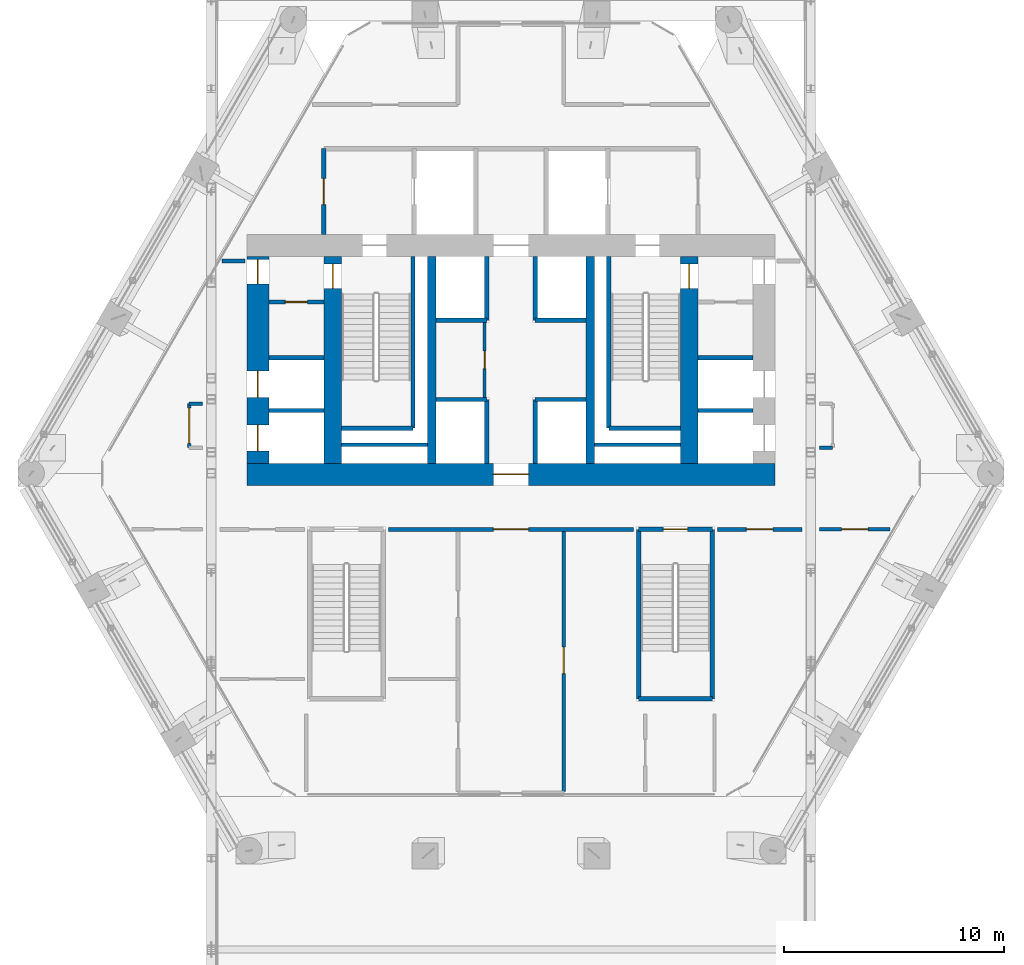
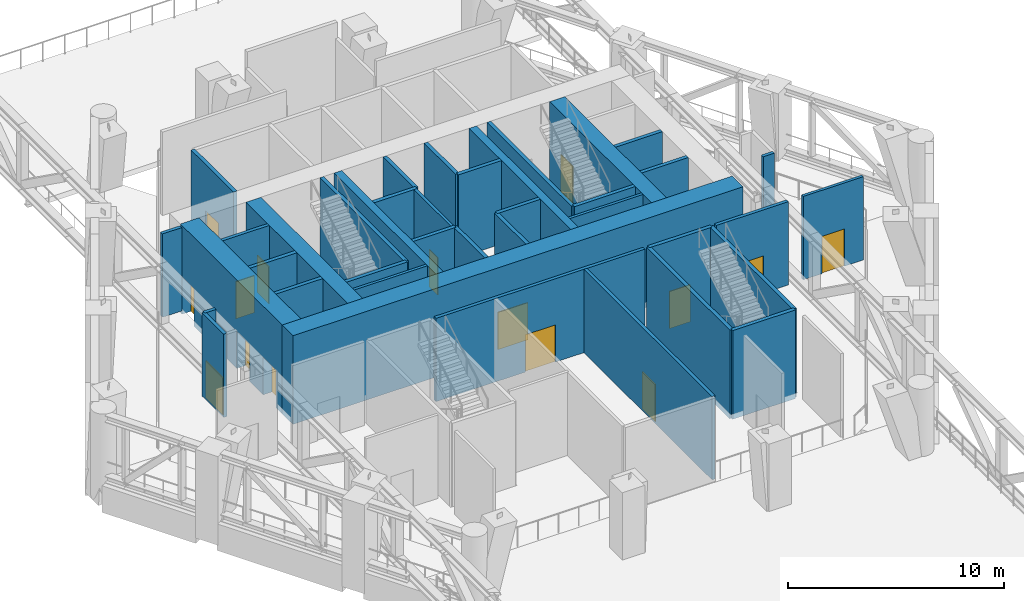
# One storey, part 10 of 22: 39 walls, 15 doors, 15 openings.
"""IFC4 building model written with IfcOpenShell, lengths in metres."""

from ifc_helpers import new_model, si_unit, direction, frame, frame_2d, origin, place, context, subcontext, project, spatial, rectangle, extrude, material, layer, layer_set, type_object, element, fill, save


model = new_model("IFC4")

# Units and contexts
model_context = context("Model", 3, precision=1e-05, world=origin(), true_north=direction((0.0, 1.0)))
body_context = subcontext(model_context, "Body", "Model", "MODEL_VIEW")
ifc_project = project(units=[si_unit("LENGTHUNIT", "METRE"), si_unit("AREAUNIT", "SQUARE_METRE"), si_unit("VOLUMEUNIT", "CUBIC_METRE"), si_unit("PLANEANGLEUNIT", "RADIAN"), si_unit("MASSUNIT", "GRAM", prefix="KILO")], contexts=[model_context])

# Site, building, storey
site_placement = place(None, origin())
site = spatial("IfcSite", under=ifc_project, at=site_placement, CompositionType="ELEMENT")
building_placement = place(site_placement, origin())
building = spatial("IfcBuilding", under=site, at=building_placement, Name="Ostrander Bayou Hotel Tower", CompositionType="ELEMENT")
storey_placement = place(building_placement, frame((0.0, 0.0, 146.0)))
storey = spatial("IfcBuildingStorey", under=building, at=storey_placement, Name="L36", CompositionType="ELEMENT", Elevation=146.0)

# Wall, opening, door
ifc_material_1 = material(Name="Concrete f'c 70 MPa", Category="concrete")
ifc_layer_1 = layer(ifc_material_1, 1.0)
ifc_layer_set_1 = layer_set([ifc_layer_1], Name="CW4 core wall 1000 mm f'c 70 MPa")
wall_type_1 = type_object("IfcWallType", Name="CW4 core wall 1000 mm f'c 70 MPa", PredefinedType="SHEAR", material=ifc_layer_set_1)
wall_1_placement = place(storey_placement, frame((-12.0, -1.199951171875, -0.300048828125), z_axis=(0.0, 0.0, 1.0), x_axis=(1.0, 0.0, 0.0)))
wall_1 = element("IfcWall", 1, at=wall_1_placement, inside=storey, type_object=wall_type_1, Name="CW4 L36 S", PredefinedType="SHEAR", context=body_context, shape_type="SweptSolid", body=[
    extrude(rectangle(XDim=24.0, YDim=1.0, at=frame_2d((12.0, 0.0))), origin(), (0.0, 0.0, 1.0), 5.0),
])
opening_1_placement = place(wall_1_placement, frame((11.199951171875, 0.0, 0.0)))
opening_1 = element("IfcOpeningElement", 2, at=opening_1_placement, cuts=wall_1, Name="Opening T36-001", PredefinedType="OPENING", context=body_context, shape_type="SweptSolid", body=[
    extrude(rectangle(XDim=1.60009765625, YDim=2.10009765625, at=frame_2d((0.800048828125, 1.050048828125))), frame((0.0, 0.5, 0.0), z_axis=(0.0, -1.0, 0.0), x_axis=(1.0, 0.0, 0.0)), (0.0, 0.0, 1.0), 1.0),
])
ifc_material_2 = material(Name="Timber door leaf", Category="wood")
door_type_1 = type_object("IfcDoorType", Name="D13 double door 1600 x 2100 mm, 1 hour", OperationType="SINGLE_SWING_LEFT", PredefinedType="DOOR", material=ifc_material_2)
door_1_placement = place(opening_1_placement, origin())
door_1 = element("IfcDoor", 3, at=door_1_placement, inside=storey, type_object=door_type_1, Name="dr:L36:001", OperationType="DOUBLE_DOOR_SINGLE_SWING", OverallHeight=2.10009765625, OverallWidth=1.60009765625, PredefinedType="DOOR", context=body_context, shape_type="SweptSolid", body=[
    extrude(rectangle(XDim=1.60009765625, YDim=2.10009765625, at=frame_2d((0.800048828125, 1.050048828125))), frame((0.0, 0.02490234375, 0.0), z_axis=(0.0, -1.0, 0.0), x_axis=(1.0, 0.0, 0.0)), (0.0, 0.0, 1.0), 0.050048828125),
])
fill(opening_1, door_1)

# Wall, openings, doors
wall_2_placement = place(storey_placement, frame((-11.5, -0.699951171875, -0.300048828125), z_axis=(0.0, 0.0, 1.0), x_axis=(0.0, 1.0, 0.0)))
wall_2 = element("IfcWall", 4, at=wall_2_placement, inside=storey, type_object=wall_type_1, Name="CW4 L36 RW", PredefinedType="SHEAR", context=body_context, shape_type="SweptSolid", body=[
    extrude(rectangle(XDim=9.39990234375, YDim=1.0, at=frame_2d((4.699951171875, 0.0))), origin(), (0.0, 0.0, 1.0), 5.0),
])
opening_2_placement = place(wall_2_placement, frame((8.14990234375, 0.0, 0.0)))
opening_2 = element("IfcOpeningElement", 5, at=opening_2_placement, cuts=wall_2, Name="Opening T36-015", PredefinedType="OPENING", context=body_context, shape_type="SweptSolid", body=[
    extrude(rectangle(XDim=1.10009765625, YDim=2.10009765625, at=frame_2d((0.550048828125, 1.050048828125))), frame((0.0, 0.5, 0.0), z_axis=(0.0, -1.0, 0.0), x_axis=(1.0, 0.0, 0.0)), (0.0, 0.0, 1.0), 1.0),
])
opening_3_placement = place(wall_2_placement, frame((0.550048828125, 0.0, 0.0)))
opening_3 = element("IfcOpeningElement", 6, at=opening_3_placement, cuts=wall_2, Name="Opening T36-016", PredefinedType="OPENING", context=body_context, shape_type="SweptSolid", body=[
    extrude(rectangle(XDim=1.199951171875, YDim=2.10009765625, at=frame_2d((0.60009765625, 1.050048828125))), frame((0.0, 0.5, 0.0), z_axis=(0.0, -1.0, 0.0), x_axis=(1.0, 0.0, 0.0)), (0.0, 0.0, 1.0), 1.0),
])
opening_4_placement = place(wall_2_placement, frame((3.0, 0.0, 0.0)))
opening_4 = element("IfcOpeningElement", 7, at=opening_4_placement, cuts=wall_2, Name="Opening T36-017", PredefinedType="OPENING", context=body_context, shape_type="SweptSolid", body=[
    extrude(rectangle(XDim=1.199951171875, YDim=2.10009765625, at=frame_2d((0.60009765625, 1.050048828125))), frame((0.0, 0.5, 0.0), z_axis=(0.0, -1.0, 0.0), x_axis=(1.0, 0.0, 0.0)), (0.0, 0.0, 1.0), 1.0),
])
ifc_material_3 = material(Name="Timber door leaf", Category="wood")
door_type_2 = type_object("IfcDoorType", Name="D5 stair door 1100 x 2100 mm, 90 minute", OperationType="SINGLE_SWING_LEFT", PredefinedType="DOOR", material=ifc_material_3)
door_2_placement = place(opening_2_placement, origin())
door_2 = element("IfcDoor", 8, at=door_2_placement, inside=storey, type_object=door_type_2, Name="dr:L36:015", OperationType="SINGLE_SWING_LEFT", OverallHeight=2.10009765625, OverallWidth=1.10009765625, PredefinedType="DOOR", context=body_context, shape_type="SweptSolid", body=[
    extrude(rectangle(XDim=1.10009765625, YDim=2.10009765625, at=frame_2d((0.550048828125, 1.050048828125))), frame((0.0, 0.02490234375, 0.0), z_axis=(0.0, -1.0, 0.0), x_axis=(1.0, 0.0, 0.0)), (0.0, 0.0, 1.0), 0.050048828125),
])
fill(opening_2, door_2)
ifc_material_4 = material(Name="Stainless steel sliding door", Category="steel")
door_type_3 = type_object("IfcDoorType", Name="LD1 lift landing door 1200 x 2100 mm", OperationType="SINGLE_SWING_LEFT", PredefinedType="DOOR", material=ifc_material_4)
door_3_placement = place(opening_3_placement, origin())
door_3 = element("IfcDoor", 9, at=door_3_placement, inside=storey, type_object=door_type_3, Name="dr:L36:016", OperationType="SLIDING_TO_LEFT", OverallHeight=2.10009765625, OverallWidth=1.199951171875, PredefinedType="DOOR", context=body_context, shape_type="SweptSolid", body=[
    extrude(rectangle(XDim=1.199951171875, YDim=2.10009765625, at=frame_2d((0.60009765625, 1.050048828125))), frame((0.0, 0.02490234375, 0.0), z_axis=(0.0, -1.0, 0.0), x_axis=(1.0, 0.0, 0.0)), (0.0, 0.0, 1.0), 0.050048828125),
])
fill(opening_3, door_3)
door_4_placement = place(opening_4_placement, origin())
door_4 = element("IfcDoor", 10, at=door_4_placement, inside=storey, type_object=door_type_3, Name="dr:L36:017", OperationType="SLIDING_TO_LEFT", OverallHeight=2.10009765625, OverallWidth=1.199951171875, PredefinedType="DOOR", context=body_context, shape_type="SweptSolid", body=[
    extrude(rectangle(XDim=1.199951171875, YDim=2.10009765625, at=frame_2d((0.60009765625, 1.050048828125))), frame((0.0, 0.02490234375, 0.0), z_axis=(0.0, -1.0, 0.0), x_axis=(1.0, 0.0, 0.0)), (0.0, 0.0, 1.0), 0.050048828125),
])
fill(opening_4, door_4)

# Wall, opening, door
ifc_material_5 = material(Name="Concrete f'c 70 MPa", Category="concrete")
ifc_layer_2 = layer(ifc_material_5, 0.800048828125)
ifc_layer_set_2 = layer_set([ifc_layer_2], Name="CW5 core spine wall 800 mm f'c 70 MPa")
wall_type_2 = type_object("IfcWallType", Name="CW5 core spine wall 800 mm f'c 70 MPa", PredefinedType="SHEAR", material=ifc_layer_set_2)
wall_3_placement = place(storey_placement, frame((-8.10009765625, -0.699951171875, -0.300048828125), z_axis=(0.0, 0.0, 1.0), x_axis=(0.0, 1.0, 0.0)))
wall_3 = element("IfcWall", 11, at=wall_3_placement, inside=storey, type_object=wall_type_2, Name="CW5 L36 W", PredefinedType="SHEAR", context=body_context, shape_type="SweptSolid", body=[
    extrude(rectangle(XDim=9.39990234375, YDim=0.800048828125, at=frame_2d((4.699951171875, 0.0))), origin(), (0.0, 0.0, 1.0), 5.0),
])
opening_5_placement = place(wall_3_placement, frame((7.949951171875, 0.0, 0.0)))
opening_5 = element("IfcOpeningElement", 12, at=opening_5_placement, cuts=wall_3, Name="Opening T36-004", PredefinedType="OPENING", context=body_context, shape_type="SweptSolid", body=[
    extrude(rectangle(XDim=1.10009765625, YDim=2.10009765625, at=frame_2d((0.550048828125, 1.050048828125))), frame((0.0, 0.39990234375, 0.0), z_axis=(0.0, -1.0, 0.0), x_axis=(1.0, 0.0, 0.0)), (0.0, 0.0, 1.0), 0.800048828125),
])
door_5_placement = place(opening_5_placement, origin())
door_5 = element("IfcDoor", 13, at=door_5_placement, inside=storey, type_object=door_type_2, Name="dr:L36:004", OperationType="SINGLE_SWING_RIGHT", OverallHeight=2.10009765625, OverallWidth=1.10009765625, PredefinedType="DOOR", context=body_context, shape_type="SweptSolid", body=[
    extrude(rectangle(XDim=1.10009765625, YDim=2.10009765625, at=frame_2d((0.550048828125, 1.050048828125))), frame((0.0, 0.02490234375, 0.0), z_axis=(0.0, -1.0, 0.0), x_axis=(1.0, 0.0, 0.0)), (0.0, 0.0, 1.0), 0.050048828125),
])
fill(opening_5, door_5)

wall_4_placement = place(storey_placement, frame((8.10009765625, -0.699951171875, -0.300048828125), z_axis=(0.0, 0.0, 1.0), x_axis=(0.0, 1.0, 0.0)))
wall_4 = element("IfcWall", 14, at=wall_4_placement, inside=storey, type_object=wall_type_2, Name="CW5 L36 E", PredefinedType="SHEAR", context=body_context, shape_type="SweptSolid", body=[
    extrude(rectangle(XDim=9.39990234375, YDim=0.800048828125, at=frame_2d((4.699951171875, 0.0))), origin(), (0.0, 0.0, 1.0), 5.0),
])
opening_6_placement = place(wall_4_placement, frame((7.949951171875, 0.0, 0.0)))
opening_6 = element("IfcOpeningElement", 15, at=opening_6_placement, cuts=wall_4, Name="Opening T36-006", PredefinedType="OPENING", context=body_context, shape_type="SweptSolid", body=[
    extrude(rectangle(XDim=1.10009765625, YDim=2.10009765625, at=frame_2d((0.550048828125, 1.050048828125))), frame((0.0, 0.39990234375, 0.0), z_axis=(0.0, -1.0, 0.0), x_axis=(1.0, 0.0, 0.0)), (0.0, 0.0, 1.0), 0.800048828125),
])
door_6_placement = place(opening_6_placement, origin())
door_6 = element("IfcDoor", 16, at=door_6_placement, inside=storey, type_object=door_type_2, Name="dr:L36:006", OperationType="SINGLE_SWING_LEFT", OverallHeight=2.10009765625, OverallWidth=1.10009765625, PredefinedType="DOOR", context=body_context, shape_type="SweptSolid", body=[
    extrude(rectangle(XDim=1.10009765625, YDim=2.10009765625, at=frame_2d((0.550048828125, 1.050048828125))), frame((0.0, 0.02490234375, 0.0), z_axis=(0.0, -1.0, 0.0), x_axis=(1.0, 0.0, 0.0)), (0.0, 0.0, 1.0), 0.050048828125),
])
fill(opening_6, door_6)

# Walls
ifc_material_6 = material(Name="Concrete f'c 70 MPa", Category="concrete")
ifc_layer_3 = layer(ifc_material_6, 0.39990234375)
ifc_layer_set_3 = layer_set([ifc_layer_3], Name="CW6 core bank wall 400 mm f'c 70 MPa")
wall_type_3 = type_object("IfcWallType", Name="CW6 core bank wall 400 mm f'c 70 MPa", PredefinedType="SHEAR", material=ifc_layer_set_3)
for number, where, z_axis, x_axis, name in (
    (17, (-3.60009765625, -0.699951171875, -0.300048828125), (0.0, 0.0, 1.0), (0.0, 1.0, 0.0), "CW6 L36 CW"),
    (18, (3.60009765625, -0.699951171875, -0.300048828125), (0.0, 0.0, 1.0), (0.0, 1.0, 0.0), "CW6 L36 CE"),
):
    element("IfcWall", number, at=place(storey_placement, frame(where, z_axis=z_axis, x_axis=x_axis)), inside=storey, type_object=wall_type_3, Name=name, PredefinedType="SHEAR", context=body_context, shape_type="SweptSolid", body=[
        extrude(rectangle(XDim=9.39990234375, YDim=0.39990234375, at=frame_2d((4.699951171875, 0.0))), origin(), (0.0, 0.0, 1.0), 5.0),
    ])

# Wall, opening, door
ifc_material_7 = material(Name="Gypsum board partition", Category="finish")
ifc_layer_4 = layer(ifc_material_7, 0.175048828125)
ifc_layer_set_4 = layer_set([ifc_layer_4], Name="PT4 corridor wall 175 mm, 1 hour")
wall_type_4 = type_object("IfcWallType", Name="PT4 corridor wall 175 mm, 1 hour", PredefinedType="PARTITIONING", material=ifc_layer_set_4)
wall_5_placement = place(storey_placement, frame((-11.0, 6.6298828125, 0.0), z_axis=(0.0, 0.0, 1.0), x_axis=(1.0, 0.0, 0.0)))
wall_5 = element("IfcWall", 19, at=wall_5_placement, inside=storey, type_object=wall_type_4, Name="cs:L36:033", PredefinedType="PARTITIONING", context=body_context, shape_type="SweptSolid", body=[
    extrude(rectangle(XDim=2.5, YDim=0.175048828125, at=frame_2d((1.25, 0.0))), origin(), (0.0, 0.0, 1.0), 4.699951171875),
])
opening_7_placement = place(wall_5_placement, frame((0.75, 0.0, 0.0)))
opening_7 = element("IfcOpeningElement", 20, at=opening_7_placement, cuts=wall_5, Name="Opening T36-014", PredefinedType="OPENING", context=body_context, shape_type="SweptSolid", body=[
    extrude(rectangle(XDim=1.0, YDim=2.10009765625, at=frame_2d((0.5, 1.050048828125))), frame((0.0, 0.08740234375, 0.0), z_axis=(0.0, -1.0, 0.0), x_axis=(1.0, 0.0, 0.0)), (0.0, 0.0, 1.0), 0.175048828125),
])
ifc_material_8 = material(Name="Timber door leaf", Category="wood")
door_type_4 = type_object("IfcDoorType", Name="D4 corridor door 1000 x 2100 mm, 1 hour", OperationType="SINGLE_SWING_LEFT", PredefinedType="DOOR", material=ifc_material_8)
door_7_placement = place(opening_7_placement, origin())
door_7 = element("IfcDoor", 21, at=door_7_placement, inside=storey, type_object=door_type_4, Name="dr:L36:014", OperationType="SINGLE_SWING_LEFT", OverallHeight=2.10009765625, OverallWidth=1.0, PredefinedType="DOOR", context=body_context, shape_type="SweptSolid", body=[
    extrude(rectangle(XDim=1.0, YDim=2.10009765625, at=frame_2d((0.5, 1.050048828125))), frame((0.0, 0.02490234375, 0.0), z_axis=(0.0, -1.0, 0.0), x_axis=(1.0, 0.0, 0.0)), (0.0, 0.0, 1.0), 0.050048828125),
])
fill(opening_7, door_7)

wall_6_placement = place(storey_placement, frame((-5.570068359375, -3.699951171875, 0.0), z_axis=(0.0, 0.0, 1.0), x_axis=(1.0, 0.0, 0.0)))
wall_6 = element("IfcWall", 22, at=wall_6_placement, inside=storey, type_object=wall_type_4, Name="sw:L36:002", PredefinedType="PARTITIONING", context=body_context, shape_type="SweptSolid", body=[
    extrude(rectangle(XDim=11.14013671875, YDim=0.175048828125, at=frame_2d((5.570068359375, 0.0))), origin(), (0.0, 0.0, 1.0), 4.699951171875),
])
opening_8_placement = place(wall_6_placement, frame((4.77001953125, 0.0, 0.0)))
opening_8 = element("IfcOpeningElement", 23, at=opening_8_placement, cuts=wall_6, Name="Opening T36-200", PredefinedType="OPENING", context=body_context, shape_type="SweptSolid", body=[
    extrude(rectangle(XDim=1.60009765625, YDim=2.10009765625, at=frame_2d((0.800048828125, 1.050048828125))), frame((0.0, 0.08740234375, 0.0), z_axis=(0.0, -1.0, 0.0), x_axis=(1.0, 0.0, 0.0)), (0.0, 0.0, 1.0), 0.175048828125),
])
door_8_placement = place(opening_8_placement, origin())
door_8 = element("IfcDoor", 24, at=door_8_placement, inside=storey, type_object=door_type_1, Name="dr:L36:200", OperationType="DOUBLE_DOOR_SINGLE_SWING", OverallHeight=2.10009765625, OverallWidth=1.60009765625, PredefinedType="DOOR", context=body_context, shape_type="SweptSolid", body=[
    extrude(rectangle(XDim=1.60009765625, YDim=2.10009765625, at=frame_2d((0.800048828125, 1.050048828125))), frame((0.0, 0.02490234375, 0.0), z_axis=(0.0, -1.0, 0.0), x_axis=(1.0, 0.0, 0.0)), (0.0, 0.0, 1.0), 0.050048828125),
])
fill(opening_8, door_8)

wall_7_placement = place(storey_placement, frame((9.3798828125, -3.699951171875, 0.0), z_axis=(0.0, 0.0, 1.0), x_axis=(1.0, 0.0, 0.0)))
wall_7 = element("IfcWall", 25, at=wall_7_placement, inside=storey, type_object=wall_type_4, Name="sw:L36:003", PredefinedType="PARTITIONING", context=body_context, shape_type="SweptSolid", body=[
    extrude(rectangle(XDim=3.840087890625, YDim=0.175048828125, at=frame_2d((1.919921875, 0.0))), origin(), (0.0, 0.0, 1.0), 4.699951171875),
])
opening_9_placement = place(wall_7_placement, frame((1.320068359375, 0.0, 0.0)))
opening_9 = element("IfcOpeningElement", 26, at=opening_9_placement, cuts=wall_7, Name="Opening T36-211", PredefinedType="OPENING", context=body_context, shape_type="SweptSolid", body=[
    extrude(rectangle(XDim=1.199951171875, YDim=2.10009765625, at=frame_2d((0.60009765625, 1.050048828125))), frame((0.0, 0.08740234375, 0.0), z_axis=(0.0, -1.0, 0.0), x_axis=(1.0, 0.0, 0.0)), (0.0, 0.0, 1.0), 0.175048828125),
])
ifc_material_9 = material(Name="Timber door leaf", Category="wood")
door_type_5 = type_object("IfcDoorType", Name="D10 plant room door 1200 x 2100 mm, 1 hour", OperationType="SINGLE_SWING_LEFT", PredefinedType="DOOR", material=ifc_material_9)
door_9_placement = place(opening_9_placement, origin())
door_9 = element("IfcDoor", 27, at=door_9_placement, inside=storey, type_object=door_type_5, Name="dr:L36:211", OperationType="SINGLE_SWING_LEFT", OverallHeight=2.10009765625, OverallWidth=1.199951171875, PredefinedType="DOOR", context=body_context, shape_type="SweptSolid", body=[
    extrude(rectangle(XDim=1.199951171875, YDim=2.10009765625, at=frame_2d((0.60009765625, 1.050048828125))), frame((0.0, 0.02490234375, 0.0), z_axis=(0.0, -1.0, 0.0), x_axis=(1.0, 0.0, 0.0)), (0.0, 0.0, 1.0), 0.050048828125),
])
fill(opening_9, door_9)

# Walls
for number, where, z_axis, x_axis, name in (
    (28, (14.02001953125, 0.007080078125, 0.0), (0.0, 0.0, 1.0), (1.0, 0.0, 0.0), "sw:L36:005"),
    (29, (-14.6201171875, 2.007080078125, 0.0), (0.0, 0.0, 1.0), (1.0, 0.0, 0.0), "sw:L36:006"),
):
    element("IfcWall", number, at=place(storey_placement, frame(where, z_axis=z_axis, x_axis=x_axis)), inside=storey, type_object=wall_type_4, Name=name, PredefinedType="PARTITIONING", context=body_context, shape_type="SweptSolid", body=[
        extrude(rectangle(XDim=0.60009765625, YDim=0.175048828125, at=frame_2d((0.300048828125, 0.0))), origin(), (0.0, 0.0, 1.0), 4.699951171875),
    ])
wall_8_placement = place(storey_placement, frame((-13.12158203125, 8.5, 0.0), z_axis=(0.0, 0.0, 1.0), x_axis=(1.0, 0.0, 0.0)))
element("IfcWall", 30, at=wall_8_placement, inside=storey, type_object=wall_type_4, Name="sw:L36:008", PredefinedType="PARTITIONING", context=body_context, shape_type="SweptSolid", body=[
    extrude(rectangle(XDim=1.04150390625, YDim=0.175048828125, at=frame_2d((0.520751953125, 0.0))), origin(), (0.0, 0.0, 1.0), 4.699951171875),
])

# Wall, opening, door
wall_9_placement = place(storey_placement, frame((-14.6201171875, 0.00732421875, 0.0), z_axis=(0.0, 0.0, 1.0), x_axis=(0.0, 1.0, 0.0)))
wall_9 = element("IfcWall", 31, at=wall_9_placement, inside=storey, type_object=wall_type_4, Name="sw:L36:012", PredefinedType="PARTITIONING", context=body_context, shape_type="SweptSolid", body=[
    extrude(rectangle(XDim=2.0, YDim=0.175048828125, at=frame_2d((1.0, 0.0))), origin(), (0.0, 0.0, 1.0), 4.699951171875),
])
opening_10_placement = place(wall_9_placement, frame((0.199951171875, 0.0, 0.0)))
opening_10 = element("IfcOpeningElement", 32, at=opening_10_placement, cuts=wall_9, Name="Opening T36-201", PredefinedType="OPENING", context=body_context, shape_type="SweptSolid", body=[
    extrude(rectangle(XDim=1.60009765625, YDim=2.10009765625, at=frame_2d((0.800048828125, 1.050048828125))), frame((0.0, 0.08740234375, 0.0), z_axis=(0.0, -1.0, 0.0), x_axis=(1.0, 0.0, 0.0)), (0.0, 0.0, 1.0), 0.175048828125),
])
door_10_placement = place(opening_10_placement, origin())
door_10 = element("IfcDoor", 33, at=door_10_placement, inside=storey, type_object=door_type_1, Name="dr:L36:201", OperationType="DOUBLE_DOOR_SINGLE_SWING", OverallHeight=2.10009765625, OverallWidth=1.60009765625, PredefinedType="DOOR", context=body_context, shape_type="SweptSolid", body=[
    extrude(rectangle(XDim=1.60009765625, YDim=2.10009765625, at=frame_2d((0.800048828125, 1.050048828125))), frame((0.0, 0.02490234375, 0.0), z_axis=(0.0, -1.0, 0.0), x_axis=(1.0, 0.0, 0.0)), (0.0, 0.0, 1.0), 0.050048828125),
])
fill(opening_10, door_10)

wall_10_placement = place(storey_placement, frame((2.39990234375, -15.613525390625, 0.0), z_axis=(0.0, 0.0, 1.0), x_axis=(0.0, 1.0, 0.0)))
wall_10 = element("IfcWall", 34, at=wall_10_placement, inside=storey, type_object=wall_type_4, Name="sw:L36:015", PredefinedType="PARTITIONING", context=body_context, shape_type="SweptSolid", body=[
    extrude(rectangle(XDim=11.91357421875, YDim=0.175048828125, at=frame_2d((5.956787109375, 0.0))), origin(), (0.0, 0.0, 1.0), 4.699951171875),
])
opening_11_placement = place(wall_10_placement, frame((5.356689453125, 0.0, 0.0)))
opening_11 = element("IfcOpeningElement", 35, at=opening_11_placement, cuts=wall_10, Name="Opening T36-209", PredefinedType="OPENING", context=body_context, shape_type="SweptSolid", body=[
    extrude(rectangle(XDim=1.199951171875, YDim=2.10009765625, at=frame_2d((0.60009765625, 1.050048828125))), frame((0.0, 0.08740234375, 0.0), z_axis=(0.0, -1.0, 0.0), x_axis=(1.0, 0.0, 0.0)), (0.0, 0.0, 1.0), 0.175048828125),
])
door_11_placement = place(opening_11_placement, origin())
door_11 = element("IfcDoor", 36, at=door_11_placement, inside=storey, type_object=door_type_5, Name="dr:L36:209", OperationType="SINGLE_SWING_LEFT", OverallHeight=2.10009765625, OverallWidth=1.199951171875, PredefinedType="DOOR", context=body_context, shape_type="SweptSolid", body=[
    extrude(rectangle(XDim=1.199951171875, YDim=2.10009765625, at=frame_2d((0.60009765625, 1.050048828125))), frame((0.0, 0.02490234375, 0.0), z_axis=(0.0, -1.0, 0.0), x_axis=(1.0, 0.0, 0.0)), (0.0, 0.0, 1.0), 0.050048828125),
])
fill(opening_11, door_11)

ifc_material_10 = material(Name="Masonry block", Category="masonry")
ifc_layer_5 = layer(ifc_material_10, 0.199951171875)
ifc_layer_set_5 = layer_set([ifc_layer_5], Name="PT5 stair enclosure wall 200 mm masonry, 2 hour")
wall_type_5 = type_object("IfcWallType", Name="PT5 stair enclosure wall 200 mm masonry, 2 hour", PredefinedType="PARTITIONING", material=ifc_layer_set_5)
wall_11_placement = place(storey_placement, frame((-8.5, 9.699951171875, 0.0), z_axis=(0.0, 0.0, 1.0), x_axis=(0.0, 1.0, 0.0)))
wall_11 = element("IfcWall", 37, at=wall_11_placement, inside=storey, type_object=wall_type_5, Name="cs:L36:024", PredefinedType="PARTITIONING", context=body_context, shape_type="SweptSolid", body=[
    extrude(rectangle(XDim=3.900146484375, YDim=0.199951171875, at=frame_2d((1.9501953125, 0.0))), origin(), (0.0, 0.0, 1.0), 4.699951171875),
])
opening_12_placement = place(wall_11_placement, frame((1.35009765625, 0.0, 0.0)))
opening_12 = element("IfcOpeningElement", 38, at=opening_12_placement, cuts=wall_11, Name="Opening T36-010", PredefinedType="OPENING", context=body_context, shape_type="SweptSolid", body=[
    extrude(rectangle(XDim=1.199951171875, YDim=2.10009765625, at=frame_2d((0.60009765625, 1.050048828125))), frame((0.0, 0.10009765625, 0.0), z_axis=(0.0, -1.0, 0.0), x_axis=(1.0, 0.0, 0.0)), (0.0, 0.0, 1.0), 0.199951171875),
])
ifc_material_11 = material(Name="Timber door leaf", Category="wood")
door_type_6 = type_object("IfcDoorType", Name="D7 lobby door 1200 x 2100 mm, 1 hour", OperationType="SINGLE_SWING_LEFT", PredefinedType="DOOR", material=ifc_material_11)
door_12_placement = place(opening_12_placement, origin())
door_12 = element("IfcDoor", 39, at=door_12_placement, inside=storey, type_object=door_type_6, Name="dr:L36:010", OperationType="SINGLE_SWING_LEFT", OverallHeight=2.10009765625, OverallWidth=1.199951171875, PredefinedType="DOOR", context=body_context, shape_type="SweptSolid", body=[
    extrude(rectangle(XDim=1.199951171875, YDim=2.10009765625, at=frame_2d((0.60009765625, 1.050048828125))), frame((0.0, 0.02490234375, 0.0), z_axis=(0.0, -1.0, 0.0), x_axis=(1.0, 0.0, 0.0)), (0.0, 0.0, 1.0), 0.050048828125),
])
fill(opening_12, door_12)

# Walls
ifc_material_12 = material(Name="Masonry block", Category="masonry")
ifc_layer_6 = layer(ifc_material_12, 0.199951171875)
ifc_layer_set_6 = layer_set([ifc_layer_6], Name="PT6 lift shaft wall 200 mm masonry, 2 hour")
wall_type_6 = type_object("IfcWallType", Name="PT6 lift shaft wall 200 mm masonry, 2 hour", PredefinedType="PARTITIONING", material=ifc_layer_set_6)
for number, where, z_axis, x_axis, name in (
    (40, (-3.39990234375, 2.199951171875, 0.0), (0.0, 0.0, 1.0), (1.0, 0.0, 0.0), "cs:L36:001"),
    (41, (-3.39990234375, 5.800048828125, 0.0), (0.0, 0.0, 1.0), (1.0, 0.0, 0.0), "cs:L36:002"),
    (42, (1.10009765625, 2.199951171875, 0.0), (0.0, 0.0, 1.0), (1.0, 0.0, 0.0), "cs:L36:003"),
    (43, (1.10009765625, 5.800048828125, 0.0), (0.0, 0.0, 1.0), (1.0, 0.0, 0.0), "cs:L36:004"),
):
    element("IfcWall", number, at=place(storey_placement, frame(where, z_axis=z_axis, x_axis=x_axis)), inside=storey, type_object=wall_type_6, Name=name, PredefinedType="PARTITIONING", context=body_context, shape_type="SweptSolid", body=[
        extrude(rectangle(XDim=2.2998046875, YDim=0.199951171875, at=frame_2d((1.14990234375, 0.0))), origin(), (0.0, 0.0, 1.0), 4.699951171875),
    ])
for number, where, z_axis, x_axis, name in (
    (44, (-1.10009765625, -0.699951171875, 0.0), (0.0, 0.0, 1.0), (0.0, 1.0, 0.0), "cs:L36:005"),
    (45, (1.10009765625, -0.699951171875, 0.0), (0.0, 0.0, 1.0), (0.0, 1.0, 0.0), "cs:L36:006"),
    (46, (-1.10009765625, 5.800048828125, 0.0), (0.0, 0.0, 1.0), (0.0, 1.0, 0.0), "cs:L36:007"),
    (47, (1.10009765625, 5.800048828125, 0.0), (0.0, 0.0, 1.0), (0.0, 1.0, 0.0), "cs:L36:008"),
):
    element("IfcWall", number, at=place(storey_placement, frame(where, z_axis=z_axis, x_axis=x_axis)), inside=storey, type_object=wall_type_6, Name=name, PredefinedType="PARTITIONING", context=body_context, shape_type="SweptSolid", body=[
        extrude(rectangle(XDim=2.89990234375, YDim=0.199951171875, at=frame_2d((1.449951171875, 0.0))), origin(), (0.0, 0.0, 1.0), 4.699951171875),
    ])
for number, where, z_axis, x_axis, name in (
    (48, (-11.0, 1.699951171875, 0.0), (0.0, 0.0, 1.0), (1.0, 0.0, 0.0), "cs:L36:031"),
    (49, (-11.0, 4.10009765625, 0.0), (0.0, 0.0, 1.0), (1.0, 0.0, 0.0), "cs:L36:032"),
    (50, (8.5, 1.699951171875, 0.0), (0.0, 0.0, 1.0), (1.0, 0.0, 0.0), "cs:L36:034"),
    (51, (8.5, 4.10009765625, 0.0), (0.0, 0.0, 1.0), (1.0, 0.0, 0.0), "cs:L36:035"),
):
    element("IfcWall", number, at=place(storey_placement, frame(where, z_axis=z_axis, x_axis=x_axis)), inside=storey, type_object=wall_type_6, Name=name, PredefinedType="PARTITIONING", context=body_context, shape_type="SweptSolid", body=[
        extrude(rectangle(XDim=2.5, YDim=0.199951171875, at=frame_2d((1.25, 0.0))), origin(), (0.0, 0.0, 1.0), 4.699951171875),
    ])
ifc_material_13 = material(Name="Gypsum board partition", Category="finish")
ifc_layer_7 = layer(ifc_material_13, 0.14990234375)
ifc_layer_set_7 = layer_set([ifc_layer_7], Name="PT7 riser wall 150 mm, 2 hour")
wall_type_7 = type_object("IfcWallType", Name="PT7 riser wall 150 mm, 2 hour", PredefinedType="PARTITIONING", material=ifc_layer_set_7)
for number, where, z_axis, x_axis, name in (
    (52, (-7.699951171875, 0.14990234375, 0.0), (0.0, 0.0, 1.0), (1.0, 0.0, 0.0), "cs:L36:011"),
    (53, (3.800048828125, 0.14990234375, 0.0), (0.0, 0.0, 1.0), (1.0, 0.0, 0.0), "cs:L36:014"),
):
    element("IfcWall", number, at=place(storey_placement, frame(where, z_axis=z_axis, x_axis=x_axis)), inside=storey, type_object=wall_type_7, Name=name, PredefinedType="PARTITIONING", context=body_context, shape_type="SweptSolid", body=[
        extrude(rectangle(XDim=3.89990234375, YDim=0.14990234375, at=frame_2d((1.949951171875, 0.0))), origin(), (0.0, 0.0, 1.0), 4.699951171875),
    ])

# Wall, opening, door
wall_12_placement = place(storey_placement, frame((-1.199951171875, 2.300048828125, 0.0), z_axis=(0.0, 0.0, 1.0), x_axis=(0.0, 1.0, 0.0)))
wall_12 = element("IfcWall", 54, at=wall_12_placement, inside=storey, type_object=wall_type_7, Name="cs:L36:030", PredefinedType="PARTITIONING", context=body_context, shape_type="SweptSolid", body=[
    extrude(rectangle(XDim=3.39990234375, YDim=0.14990234375, at=frame_2d((1.699951171875, 0.0))), origin(), (0.0, 0.0, 1.0), 4.699951171875),
])
opening_13_placement = place(wall_12_placement, frame((1.300048828125, 0.0, 0.0)))
opening_13 = element("IfcOpeningElement", 55, at=opening_13_placement, cuts=wall_12, Name="Opening T36-013", PredefinedType="OPENING", context=body_context, shape_type="SweptSolid", body=[
    extrude(rectangle(XDim=0.800048828125, YDim=2.10009765625, at=frame_2d((0.39990234375, 1.050048828125))), frame((0.0, 0.074951171875, 0.0), z_axis=(0.0, -1.0, 0.0), x_axis=(1.0, 0.0, 0.0)), (0.0, 0.0, 1.0), 0.14990234375),
])
ifc_material_14 = material(Name="Timber door leaf", Category="wood")
door_type_7 = type_object("IfcDoorType", Name="D6 riser door 800 x 2100 mm, 90 minute", OperationType="SINGLE_SWING_LEFT", PredefinedType="DOOR", material=ifc_material_14)
door_13_placement = place(opening_13_placement, origin())
door_13 = element("IfcDoor", 56, at=door_13_placement, inside=storey, type_object=door_type_7, Name="dr:L36:013", OperationType="SINGLE_SWING_LEFT", OverallHeight=2.10009765625, OverallWidth=0.800048828125, PredefinedType="DOOR", context=body_context, shape_type="SweptSolid", body=[
    extrude(rectangle(XDim=0.800048828125, YDim=2.10009765625, at=frame_2d((0.39990234375, 1.050048828125))), frame((0.0, 0.02490234375, 0.0), z_axis=(0.0, -1.0, 0.0), x_axis=(1.0, 0.0, 0.0)), (0.0, 0.0, 1.0), 0.050048828125),
])
fill(opening_13, door_13)

wall_13_placement = place(storey_placement, frame((14.02001953125, -3.699951171875, 0.0), z_axis=(0.0, 0.0, 1.0), x_axis=(1.0, 0.0, 0.0)))
wall_13 = element("IfcWall", 57, at=wall_13_placement, inside=storey, type_object=wall_type_7, Name="sw:L36:021", PredefinedType="PARTITIONING", context=body_context, shape_type="SweptSolid", body=[
    extrude(rectangle(XDim=3.2080078125, YDim=0.14990234375, at=frame_2d((1.60400390625, 0.0))), origin(), (0.0, 0.0, 1.0), 4.699951171875),
])
opening_14_placement = place(wall_13_placement, frame((1.004150390625, 0.0, 0.0)))
opening_14 = element("IfcOpeningElement", 58, at=opening_14_placement, cuts=wall_13, Name="Opening T36-204", PredefinedType="OPENING", context=body_context, shape_type="SweptSolid", body=[
    extrude(rectangle(XDim=1.199951171875, YDim=2.10009765625, at=frame_2d((0.60009765625, 1.050048828125))), frame((0.0, 0.074951171875, 0.0), z_axis=(0.0, -1.0, 0.0), x_axis=(1.0, 0.0, 0.0)), (0.0, 0.0, 1.0), 0.14990234375),
])
door_14_placement = place(opening_14_placement, origin())
door_14 = element("IfcDoor", 59, at=door_14_placement, inside=storey, type_object=door_type_5, Name="dr:L36:204", OperationType="SINGLE_SWING_RIGHT", OverallHeight=2.10009765625, OverallWidth=1.199951171875, PredefinedType="DOOR", context=body_context, shape_type="SweptSolid", body=[
    extrude(rectangle(XDim=1.199951171875, YDim=2.10009765625, at=frame_2d((0.60009765625, 1.050048828125))), frame((0.0, 0.02490234375, 0.0), z_axis=(0.0, -1.0, 0.0), x_axis=(1.0, 0.0, 0.0)), (0.0, 0.0, 1.0), 0.050048828125),
])
fill(opening_14, door_14)

# Walls
ifc_material_15 = material(Name="Concrete f'c 45 MPa", Category="concrete")
ifc_layer_8 = layer(ifc_material_15, 0.199951171875)
ifc_layer_set_8 = layer_set([ifc_layer_8], Name="SW5 stair enclosure wall 200 mm f'c 45 MPa")
wall_type_8 = type_object("IfcWallType", Name="SW5 stair enclosure wall 200 mm f'c 45 MPa", PredefinedType="SOLIDWALL", material=ifc_layer_set_8)
wall_14_placement = place(storey_placement, frame((-4.449951171875, 0.89990234375, -0.300048828125), z_axis=(0.0, 0.0, 1.0), x_axis=(0.0, 1.0, 0.0)))
element("IfcWall", 60, at=wall_14_placement, inside=storey, type_object=wall_type_8, Name="cs:L36:009", PredefinedType="SOLIDWALL", context=body_context, shape_type="SweptSolid", body=[
    extrude(rectangle(XDim=7.800048828125, YDim=0.199951171875, at=frame_2d((3.89990234375, 0.0))), origin(), (0.0, 0.0, 1.0), 5.0),
])
wall_15_placement = place(storey_placement, frame((-7.699951171875, 0.89990234375, -0.300048828125), z_axis=(0.0, 0.0, 1.0), x_axis=(1.0, 0.0, 0.0)))
element("IfcWall", 61, at=wall_15_placement, inside=storey, type_object=wall_type_8, Name="cs:L36:010", PredefinedType="SOLIDWALL", context=body_context, shape_type="SweptSolid", body=[
    extrude(rectangle(XDim=3.25, YDim=0.199951171875, at=frame_2d((1.625, 0.0))), origin(), (0.0, 0.0, 1.0), 5.0),
])
wall_16_placement = place(storey_placement, frame((4.449951171875, 0.89990234375, -0.300048828125), z_axis=(0.0, 0.0, 1.0), x_axis=(0.0, 1.0, 0.0)))
element("IfcWall", 62, at=wall_16_placement, inside=storey, type_object=wall_type_8, Name="cs:L36:012", PredefinedType="SOLIDWALL", context=body_context, shape_type="SweptSolid", body=[
    extrude(rectangle(XDim=7.800048828125, YDim=0.199951171875, at=frame_2d((3.89990234375, 0.0))), origin(), (0.0, 0.0, 1.0), 5.0),
])
wall_17_placement = place(storey_placement, frame((4.449951171875, 0.89990234375, -0.300048828125), z_axis=(0.0, 0.0, 1.0), x_axis=(1.0, 0.0, 0.0)))
element("IfcWall", 63, at=wall_17_placement, inside=storey, type_object=wall_type_8, Name="cs:L36:013", PredefinedType="SOLIDWALL", context=body_context, shape_type="SweptSolid", body=[
    extrude(rectangle(XDim=3.25, YDim=0.199951171875, at=frame_2d((1.625, 0.0))), origin(), (0.0, 0.0, 1.0), 5.0),
])

# Wall, opening, door
wall_18_placement = place(storey_placement, frame((5.800048828125, -3.699951171875, -0.300048828125), z_axis=(0.0, 0.0, 1.0), x_axis=(1.0, 0.0, 0.0)))
wall_18 = element("IfcWall", 64, at=wall_18_placement, inside=storey, type_object=wall_type_8, Name="cs:L36:015", PredefinedType="SOLIDWALL", context=body_context, shape_type="SweptSolid", body=[
    extrude(rectangle(XDim=3.349853515625, YDim=0.199951171875, at=frame_2d((1.6748046875, 0.0))), origin(), (0.0, 0.0, 1.0), 5.0),
])
opening_15_placement = place(wall_18_placement, frame((1.125, 0.0, 0.0)))
opening_15 = element("IfcOpeningElement", 65, at=opening_15_placement, cuts=wall_18, Name="Opening T36-007", PredefinedType="OPENING", context=body_context, shape_type="SweptSolid", body=[
    extrude(rectangle(XDim=1.10009765625, YDim=2.10009765625, at=frame_2d((0.550048828125, 1.050048828125))), frame((0.0, 0.10009765625, 0.0), z_axis=(0.0, -1.0, 0.0), x_axis=(1.0, 0.0, 0.0)), (0.0, 0.0, 1.0), 0.199951171875),
])
door_15_placement = place(opening_15_placement, origin())
door_15 = element("IfcDoor", 66, at=door_15_placement, inside=storey, type_object=door_type_2, Name="dr:L36:007", OperationType="SINGLE_SWING_LEFT", OverallHeight=2.10009765625, OverallWidth=1.10009765625, PredefinedType="DOOR", context=body_context, shape_type="SweptSolid", body=[
    extrude(rectangle(XDim=1.10009765625, YDim=2.10009765625, at=frame_2d((0.550048828125, 1.050048828125))), frame((0.0, 0.02490234375, 0.0), z_axis=(0.0, -1.0, 0.0), x_axis=(1.0, 0.0, 0.0)), (0.0, 0.0, 1.0), 0.050048828125),
])
fill(opening_15, door_15)

# Walls
for number, where, z_axis, x_axis, name in (
    (67, (5.800048828125, -3.699951171875, -0.300048828125), (0.0, 0.0, 1.0), (0.0, -1.0, 0.0), "cs:L36:016"),
    (68, (9.14990234375, -3.699951171875, -0.300048828125), (0.0, 0.0, 1.0), (0.0, -1.0, 0.0), "cs:L36:017"),
):
    element("IfcWall", number, at=place(storey_placement, frame(where, z_axis=z_axis, x_axis=x_axis)), inside=storey, type_object=wall_type_8, Name=name, PredefinedType="SOLIDWALL", context=body_context, shape_type="SweptSolid", body=[
        extrude(rectangle(XDim=7.699951171875, YDim=0.199951171875, at=frame_2d((3.85009765625, 0.0))), origin(), (0.0, 0.0, 1.0), 5.0),
    ])
wall_19_placement = place(storey_placement, frame((5.800048828125, -11.39990234375, -0.300048828125), z_axis=(0.0, 0.0, 1.0), x_axis=(1.0, 0.0, 0.0)))
element("IfcWall", 69, at=wall_19_placement, inside=storey, type_object=wall_type_8, Name="cs:L36:018", PredefinedType="SOLIDWALL", context=body_context, shape_type="SweptSolid", body=[
    extrude(rectangle(XDim=3.349853515625, YDim=0.199951171875, at=frame_2d((1.6748046875, 0.0))), origin(), (0.0, 0.0, 1.0), 5.0),
])

save(model, "model.ifc")
